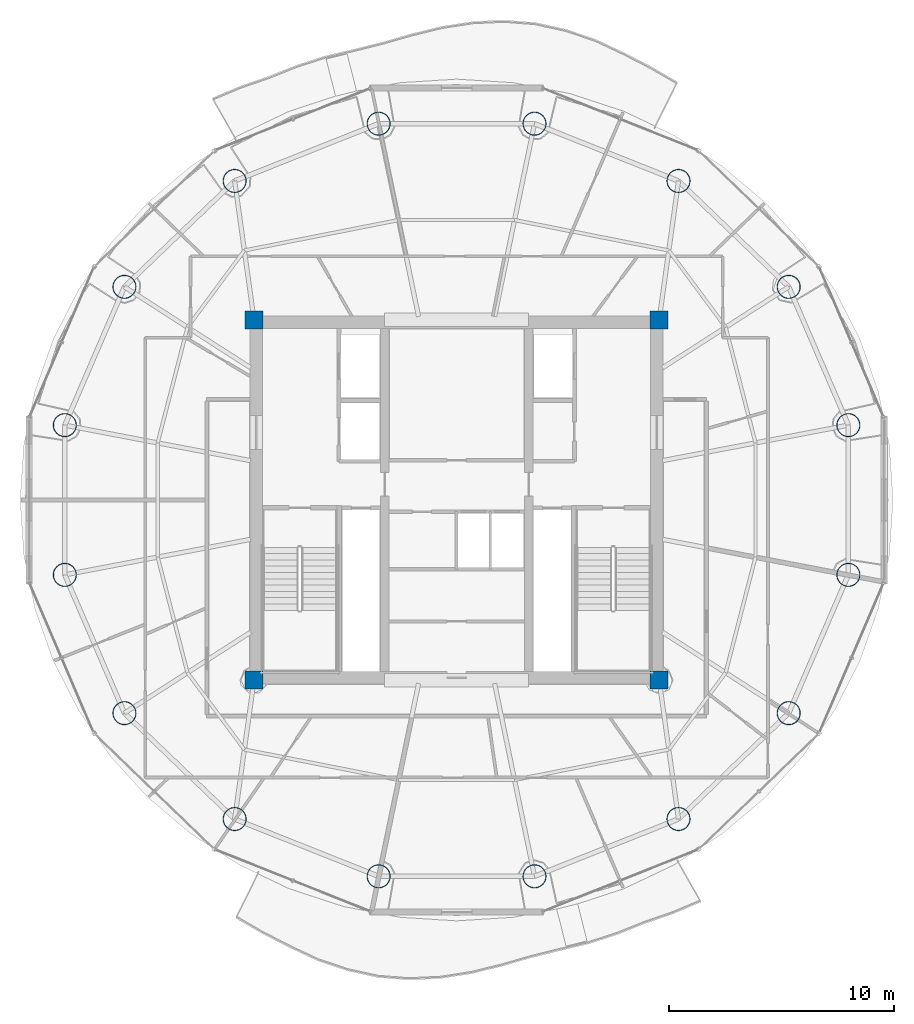
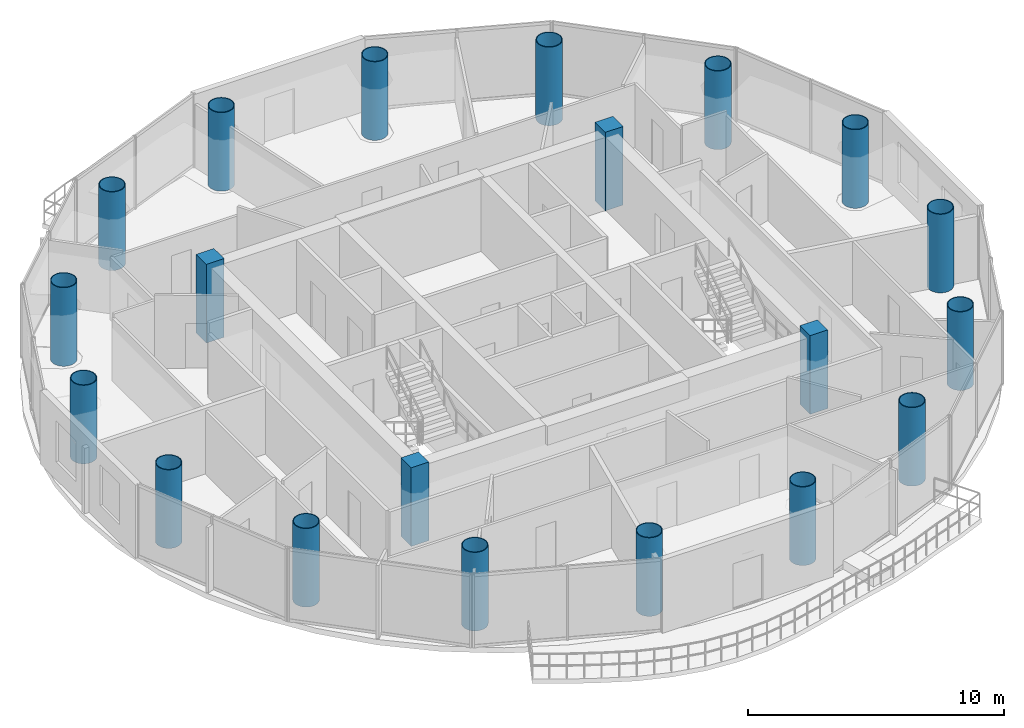
# One storey, part 1 of 23: 20 columns.
"""IFC4 building model written with IfcOpenShell, lengths in metres."""

import ifcopenshell
import ifcopenshell.guid

model = None  # the IFC model being written
_history = None  # IfcOwnerHistory: only IFC2X3 demands one
_inside = {}  # id of a spatial element -> (the spatial element, [elements in it])
_under = {}  # id of a project, library or spatial element -> (it, [spatial elements below it])
_declared = {}  # id of a project -> (the project, [libraries it declares])
_typed = {}  # id of a type object -> (the type object, [elements of that type])
_made_of = {}  # id of a material, layer set ... -> (it, [elements and type objects made of it])


def new_model(schema):
    """Start an empty IFC model of exactly this schema.

    Asked for "IFC4X3", IfcOpenShell would pick the latest addendum, in which some entities
    have other attributes; the version numbers below select the first issue.
    IFC2X3 requires an IfcOwnerHistory on every rooted entity: one is made here for all.
    """
    global model, _history
    if schema == "IFC4X3":
        model = ifcopenshell.file(schema_version=(4, 3, 0, 0))
    else:
        model = ifcopenshell.file(schema=schema)
    _inside.clear()
    _under.clear()
    _declared.clear()
    _typed.clear()
    _made_of.clear()
    _history = None
    if model.schema == "IFC2X3":
        org = make("IfcOrganization", Name="unknown")
        user = make(
            "IfcPersonAndOrganization",
            ThePerson=make("IfcPerson", FamilyName="unknown"),
            TheOrganization=org,
        )
        app = make(
            "IfcApplication",
            ApplicationDeveloper=org,
            Version="unknown",
            ApplicationFullName="unknown",
            ApplicationIdentifier="unknown",
        )
        _history = make(
            "IfcOwnerHistory",
            OwningUser=user,
            OwningApplication=app,
            ChangeAction="ADDED",
            CreationDate=0,
        )
    return model


def make(cls, **values):
    """One entity of the class cls with the attributes given. An attribute that is None is left unset."""
    return model.create_entity(
        cls, **{name: value for name, value in values.items() if value is not None}
    )


def rooted(cls, **values):
    """An entity with a GlobalId (a new one), such as an element, a storey or a relation."""
    return make(cls, GlobalId=ifcopenshell.guid.new(), OwnerHistory=_history, **values)


def si_unit(unit_type, name, prefix=None):
    """IfcSIUnit, for example si_unit("LENGTHUNIT", "METRE", prefix="MILLI")."""
    return make("IfcSIUnit", UnitType=unit_type, Prefix=prefix, Name=name)


def assignment(units):
    """IfcUnitAssignment: the units of a project."""
    return None if units is None else make("IfcUnitAssignment", Units=units)


def point(xyz):
    """IfcCartesianPoint."""
    return None if xyz is None else make("IfcCartesianPoint", Coordinates=xyz)


def direction(xyz):
    """IfcDirection."""
    return None if xyz is None else make("IfcDirection", DirectionRatios=xyz)


def frame(location, z_axis=None, x_axis=None):
    """IfcAxis2Placement3D, a coordinate frame: its origin and axes. An axis left out is left unset."""
    return make(
        "IfcAxis2Placement3D",
        Location=point(location),
        Axis=direction(z_axis),
        RefDirection=direction(x_axis),
    )


def frame_2d(location, x_axis=None):
    """IfcAxis2Placement2D, a coordinate frame in the plane: its origin and x axis."""
    return make(
        "IfcAxis2Placement2D", Location=point(location), RefDirection=direction(x_axis)
    )


def origin():
    """The frame at (0, 0, 0) with its axes left unset."""
    return frame((0.0, 0.0, 0.0))


def origin_2d():
    """The frame at (0, 0) in the plane with its x axis left unset."""
    return frame_2d((0.0, 0.0))


def place(relative_to, where):
    """IfcLocalPlacement: puts the frame where relative to a parent placement (None: the world)."""
    return make(
        "IfcLocalPlacement", PlacementRelTo=relative_to, RelativePlacement=where
    )


def context(
    kind, dimensions, precision=None, world=None, true_north=None, identifier=None
):
    """IfcGeometricRepresentationContext, for example the 3D "Model" context."""
    return make(
        "IfcGeometricRepresentationContext",
        ContextIdentifier=identifier,
        ContextType=kind,
        CoordinateSpaceDimension=dimensions,
        Precision=precision,
        WorldCoordinateSystem=world,
        TrueNorth=true_north,
    )


def subcontext(parent, identifier, kind, view, scale=None):
    """IfcGeometricRepresentationSubContext, for example "Body" below "Model"."""
    return make(
        "IfcGeometricRepresentationSubContext",
        ContextIdentifier=identifier,
        ContextType=kind,
        ParentContext=parent,
        TargetScale=scale,
        TargetView=view,
    )


def project(units=None, contexts=None):
    """IfcProject with its units and contexts."""
    return rooted(
        "IfcProject",
        Name="project",
        RepresentationContexts=contexts,
        UnitsInContext=assignment(units),
    )


def spatial(cls, under=None, at=None, **own):
    """A site, building, storey or space (cls), placed at a placement, below another one or the project."""
    s = rooted(cls, ObjectPlacement=at, **own)
    if under is not None:
        _under.setdefault(under.id(), (under, []))[1].append(s)
    return s


def profile(cls, at=None, kind="AREA", **sizes):
    """A parametric profile (cls). Its sizes go by their IFC names, for example OverallWidth=200.0."""
    return make(cls, ProfileType=kind, Position=at, **sizes)


def rectangle(**sizes):
    """IfcRectangleProfileDef."""
    return profile("IfcRectangleProfileDef", **sizes)


def hollow_circle(**sizes):
    """IfcCircleHollowProfileDef."""
    return profile("IfcCircleHollowProfileDef", **sizes)


def extrude(swept, where, along, depth):
    """IfcExtrudedAreaSolid: the profile swept, set in the frame where, extruded along a direction by depth."""
    return make(
        "IfcExtrudedAreaSolid",
        SweptArea=swept,
        Position=where,
        ExtrudedDirection=direction(along),
        Depth=depth,
    )


def shape(context_of_items, identifier, shape_type, items):
    """IfcShapeRepresentation: the items that make up one representation, for example the "Body"."""
    return make(
        "IfcShapeRepresentation",
        ContextOfItems=context_of_items,
        RepresentationIdentifier=identifier,
        RepresentationType=shape_type,
        Items=items,
    )


def material(Name=None, Category=None):
    """IfcMaterial."""
    return make("IfcMaterial", Name=Name, Category=Category)


def material_profile(
    of_material, cross_section, Name=None, Category=None, Priority=None
):
    """IfcMaterialProfile: a cross section and its material."""
    return make(
        "IfcMaterialProfile",
        Name=Name,
        Material=of_material,
        Profile=cross_section,
        Priority=Priority,
        Category=Category,
    )


def profile_set(profiles, Name=None, composite=None):
    """IfcMaterialProfileSet."""
    return make(
        "IfcMaterialProfileSet",
        Name=Name,
        MaterialProfiles=profiles,
        CompositeProfile=composite,
    )


def made_of(thing, what):
    """Note that an element or type object is made of a material, layer set ...; save() writes the relation."""
    if what is not None:
        _made_of.setdefault(what.id(), (what, []))[1].append(thing)
    return thing


def type_object(cls, material=None, **own):
    """A type object (cls), such as IfcWallType, which elements share."""
    return made_of(rooted(cls, **own), material)


def element(
    cls,
    number,
    at=None,
    inside=None,
    cuts=None,
    type_object=None,
    material=None,
    context=None,
    identifier="Body",
    shape_type=None,
    held_by="IfcProductDefinitionShape",
    body=None,
    shapes=None,
    **own,
):
    """One element of the class cls, such as IfcWall. Its Tag is "e" and its number.

    at: its placement. inside: the storey or other place that contains it. cuts: it is an
    opening in that element (IfcRelVoidsElement). A single representation is given by context,
    identifier, shape_type and body (its items); several are given by shapes. held_by: the class
    of the entity that holds the representations. save() writes the other relations.
    """
    e = rooted(cls, Tag="e%d" % number, ObjectPlacement=at, **own)
    if body is not None:
        shapes = [shape(context, identifier, shape_type, body)]
    if shapes is not None:
        e.Representation = make(held_by, Representations=shapes)
    if inside is not None:
        _inside.setdefault(inside.id(), (inside, []))[1].append(e)
    if cuts is not None:
        rooted(
            "IfcRelVoidsElement", RelatingBuildingElement=cuts, RelatedOpeningElement=e
        )
    if type_object is not None:
        _typed.setdefault(type_object.id(), (type_object, []))[1].append(e)
    return made_of(e, material)


def aggregate(whole, parts):
    """IfcRelAggregates: a whole, such as a stair, and the parts it consists of."""
    return rooted("IfcRelAggregates", RelatingObject=whole, RelatedObjects=parts)


def save(model, path):
    """Write the relations noted so far, then the file.

    IfcRelAggregates (storeys below a building ...), IfcRelContainedInSpatialStructure (elements
    in a storey), IfcRelDefinesByType, IfcRelAssociatesMaterial and IfcRelDeclares: one each for
    every whole, place, type object, material and project.
    """
    for whole, parts in _under.values():
        aggregate(whole, parts)
    for where, things in _inside.values():
        rooted(
            "IfcRelContainedInSpatialStructure",
            RelatedElements=things,
            RelatingStructure=where,
        )
    for kind, things in _typed.values():
        rooted("IfcRelDefinesByType", RelatedObjects=things, RelatingType=kind)
    for what, things in _made_of.values():
        rooted("IfcRelAssociatesMaterial", RelatedObjects=things, RelatingMaterial=what)
    for by, libraries in _declared.values():
        rooted("IfcRelDeclares", RelatingContext=by, RelatedDefinitions=libraries)
    model.write(path)


model = new_model("IFC4")

# Units and contexts
model_context = context("Model", 3, precision=1e-05, world=origin(), true_north=direction((-0.2419218956, 0.970295726276)))
body_context = subcontext(model_context, "Body", "Model", "MODEL_VIEW")
ifc_project = project(units=[si_unit("LENGTHUNIT", "METRE"), si_unit("AREAUNIT", "SQUARE_METRE"), si_unit("VOLUMEUNIT", "CUBIC_METRE"), si_unit("PLANEANGLEUNIT", "RADIAN"), si_unit("MASSUNIT", "GRAM", prefix="KILO")], contexts=[model_context])

# Site, building, storey
site_placement = place(None, origin())
site = spatial("IfcSite", under=ifc_project, at=site_placement, CompositionType="ELEMENT")
building_placement = place(site_placement, origin())
building = spatial("IfcBuilding", under=site, at=building_placement, Name="Cobrevalo Terracotta Tower", CompositionType="ELEMENT")
storey_placement = place(building_placement, frame((0.0, 0.0, 266.949951171875)))
storey = spatial("IfcBuildingStorey", under=building, at=storey_placement, Name="L70", CompositionType="ELEMENT", Elevation=266.949951171875)

# Columns
ifc_material_1 = material(Name="Steel S355", Category="steel")
ifc_material_profile_1 = material_profile(ifc_material_1, hollow_circle(Radius=0.52490234375, WallThickness=0.034912109375, at=origin_2d()), Name="CHS 1050x35")
ifc_profile_set_1 = profile_set([ifc_material_profile_1], Name="Steel S355")
column_type_1 = type_object("IfcColumnType", Name="Structural Column CHS 1050x35 (Steel S355)", PredefinedType="COLUMN", material=ifc_profile_set_1)
for number, where, z_axis, x_axis, name in (
    (1, (55.408935546875, 30.126220703125, 0.0), (0.0, 0.0, 1.0), (1.0, 0.0, 0.0), "L70 composite megacolumn MC01"),
    (2, (52.758544921875, 36.2724609375, 0.0), (0.0, 0.0, 1.0), (1.0, 0.0, 0.0), "L70 composite megacolumn MC02"),
    (3, (47.861328125, 40.9765625, 0.0), (0.0, 0.0, 1.0), (1.0, 0.0, 0.0), "L70 composite megacolumn MC03"),
    (4, (41.462890625, 43.5224609375, 0.0), (0.0, 0.0, 1.0), (1.0, 0.0, 0.0), "L70 composite megacolumn MC04"),
    (5, (34.537109375, 43.5224609375, 0.0), (0.0, 0.0, 1.0), (1.0, 0.0, 0.0), "L70 composite megacolumn MC05"),
    (6, (28.138671875, 40.9765625, 0.0), (0.0, 0.0, 1.0), (1.0, 0.0, 0.0), "L70 composite megacolumn MC06"),
    (7, (23.241455078125, 36.2724609375, 0.0), (0.0, 0.0, 1.0), (1.0, 0.0, 0.0), "L70 composite megacolumn MC07"),
    (8, (20.591064453125, 30.126220703125, 0.0), (0.0, 0.0, 1.0), (1.0, 0.0, 0.0), "L70 composite megacolumn MC08"),
    (9, (20.591064453125, 23.4736328125, 0.0), (0.0, 0.0, 1.0), (1.0, 0.0, 0.0), "L70 composite megacolumn MC09"),
    (10, (23.241455078125, 17.32763671875, 0.0), (0.0, 0.0, 1.0), (1.0, 0.0, 0.0), "L70 composite megacolumn MC10"),
    (11, (28.138671875, 12.62353515625, 0.0), (0.0, 0.0, 1.0), (1.0, 0.0, 0.0), "L70 composite megacolumn MC11"),
    (12, (34.537109375, 10.07763671875, 0.0), (0.0, 0.0, 1.0), (1.0, 0.0, 0.0), "L70 composite megacolumn MC12"),
    (13, (41.462890625, 10.07763671875, 0.0), (0.0, 0.0, 1.0), (1.0, 0.0, 0.0), "L70 composite megacolumn MC13"),
    (14, (47.861328125, 12.62353515625, 0.0), (0.0, 0.0, 1.0), (1.0, 0.0, 0.0), "L70 composite megacolumn MC14"),
    (15, (52.758544921875, 17.32763671875, 0.0), (0.0, 0.0, 1.0), (1.0, 0.0, 0.0), "L70 composite megacolumn MC15"),
    (16, (55.408935546875, 23.4736328125, 0.0), (0.0, 0.0, 1.0), (1.0, 0.0, 0.0), "L70 composite megacolumn MC16"),
):
    element("IfcColumn", number, at=place(storey_placement, frame(where, z_axis=z_axis, x_axis=x_axis)), inside=storey, type_object=column_type_1, Name=name, PredefinedType="COLUMN", context=body_context, shape_type="SweptSolid", body=[
        extrude(hollow_circle(Radius=0.52490234375, WallThickness=0.034912109375, at=origin_2d()), origin(), (0.0, 0.0, 1.0), 3.75),
    ])
ifc_material_2 = material(Name="Concrete C50", Category="concrete")
ifc_material_profile_2 = material_profile(ifc_material_2, rectangle(XDim=0.800048828125, YDim=0.800048828125, at=origin_2d()), Name="RC COL 800x800")
ifc_profile_set_2 = profile_set([ifc_material_profile_2], Name="Concrete C50")
column_type_2 = type_object("IfcColumnType", Name="Structural Column RC COL 800x800 (Concrete C50)", PredefinedType="COLUMN", material=ifc_profile_set_2)
for number, where, z_axis, x_axis, name in (
    (17, (29.0, 18.800048828125, 0.0), (0.0, 0.0, 1.0), (1.0, 0.0, 0.0), "L70 core corner column CC1"),
    (18, (47.0, 18.800048828125, 0.0), (0.0, 0.0, 1.0), (1.0, 0.0, 0.0), "L70 core corner column CC2"),
    (19, (47.0, 34.800048828125, 0.0), (0.0, 0.0, 1.0), (1.0, 0.0, 0.0), "L70 core corner column CC3"),
    (20, (29.0, 34.800048828125, 0.0), (0.0, 0.0, 1.0), (1.0, 0.0, 0.0), "L70 core corner column CC4"),
):
    element("IfcColumn", number, at=place(storey_placement, frame(where, z_axis=z_axis, x_axis=x_axis)), inside=storey, type_object=column_type_2, Name=name, PredefinedType="COLUMN", context=body_context, shape_type="SweptSolid", body=[
        extrude(rectangle(XDim=0.800048828125, YDim=0.800048828125, at=origin_2d()), origin(), (0.0, 0.0, 1.0), 3.75),
    ])

save(model, "model.ifc")
